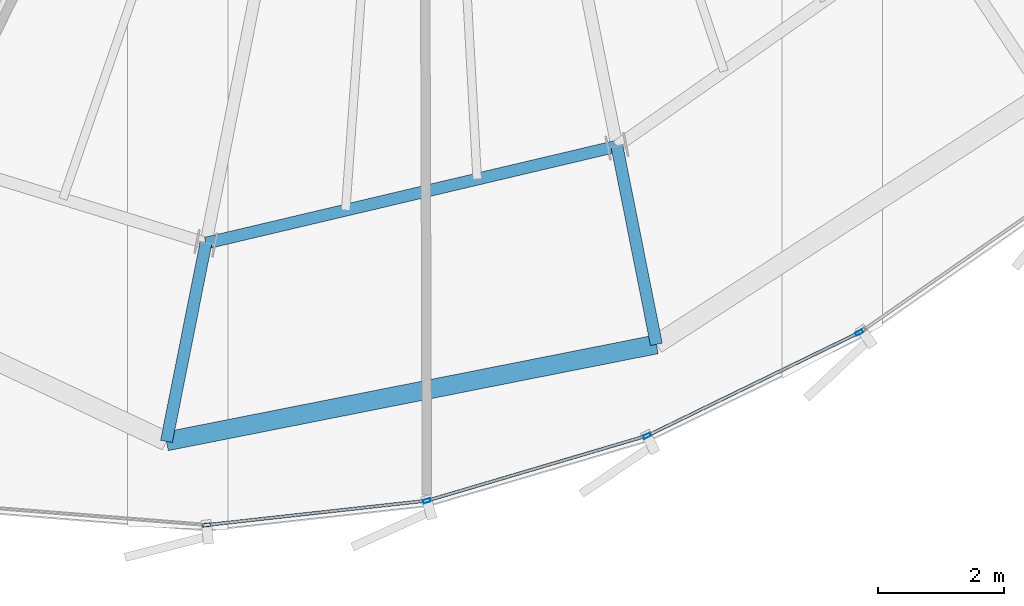
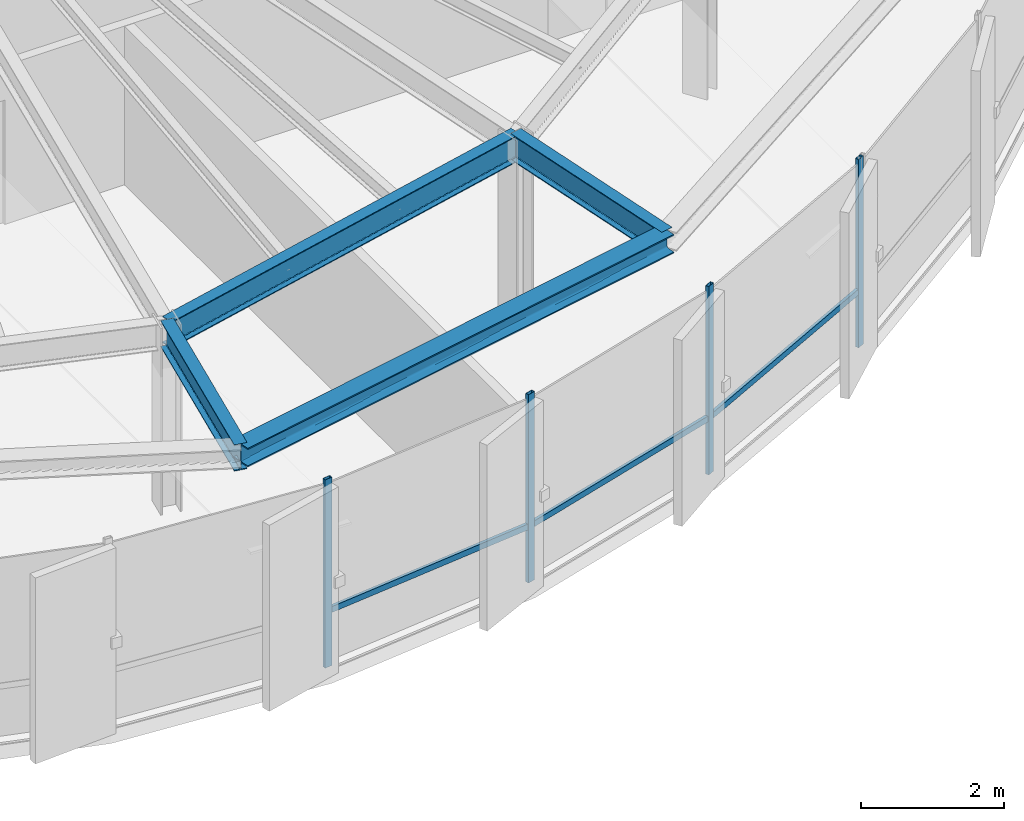
# One storey, part 6 of 34: 7 members, 4 beams, 1 element without a shape of its own.
"""IFC4 building model written with IfcOpenShell, lengths in metres."""

from ifc_helpers import new_model, si_unit, direction, frame, origin, origin_2d, place, context, subcontext, project, spatial, hollow_rectangle, i_section, extrude, source, transform, mapped, material, layer, layer_set, material_profile, profile_set, type_object, element, aggregate, save


model = new_model("IFC4")

# Units and contexts
model_context = context("Model", 3, precision=1e-05, world=origin(), true_north=direction((0.0, 1.0)))
body_context = subcontext(model_context, "Body", "Model", "MODEL_VIEW")
ifc_project = project(units=[si_unit("LENGTHUNIT", "METRE"), si_unit("AREAUNIT", "SQUARE_METRE"), si_unit("VOLUMEUNIT", "CUBIC_METRE"), si_unit("PLANEANGLEUNIT", "RADIAN"), si_unit("MASSUNIT", "GRAM", prefix="KILO"), si_unit("THERMODYNAMICTEMPERATUREUNIT", "KELVIN")], contexts=[model_context])

# Site, building, storey
site_placement = place(None, origin())
site = spatial("IfcSite", under=ifc_project, at=site_placement, CompositionType="ELEMENT")
building_placement = place(site_placement, origin())
building = spatial("IfcBuilding", under=site, at=building_placement, Name="Kethvar Cultural Tower", CompositionType="ELEMENT")
storey_placement = place(building_placement, frame((0.0, 0.0, 259.449951171875)))
storey = spatial("IfcBuildingStorey", under=building, at=storey_placement, Name="L68", CompositionType="ELEMENT", Elevation=259.449951171875)

# Beams
ifc_material_1 = material(Name="Steel S355J2", Category="steel")
ifc_material_profile_1 = material_profile(ifc_material_1, i_section(OverallWidth=0.18994140625, OverallDepth=0.449951171875, WebThickness=0.009521484375, FlangeThickness=0.0146484375, FilletRadius=0.02099609375, at=origin_2d()), Name="Steel S355J2 — IPE450")
ifc_profile_set_1 = profile_set([ifc_material_profile_1], Name="Steel S355J2 — IPE450")
beam_type_1 = type_object("IfcBeamType", Name="BM-IPE450", PredefinedType="BEAM", material=ifc_profile_set_1)
shared_shape_1 = source(origin(), body_context, "Body", "SweptSolid", [
    extrude(i_section(OverallWidth=0.18994140625, OverallDepth=0.449951171875, WebThickness=0.009521484375, FlangeThickness=0.0146484375, FilletRadius=0.02099609375, at=origin_2d()), origin(), (0.0, 0.0, 1.0), 3.199951171875),
])
beam_1_placement = place(storey_placement, frame((49.901611328125, 12.206787109375, 2.983154296875), z_axis=(0.195088965533, -0.980785550224, 0.0), x_axis=(0.980785550224, 0.195088965533, 0.0)))
element("IfcBeam", 1, at=beam_1_placement, inside=storey, type_object=beam_type_1, Name="L68 Perimeter Cantilever Beam RC-13", PredefinedType="BEAM", context=body_context, shape_type="MappedRepresentation", body=[
    mapped(shared_shape_1, transform((0.0, 0.0, 0.0), scale=1.0)),
])
shared_shape_2 = source(origin(), body_context, "Body", "SweptSolid", [
    extrude(i_section(OverallWidth=0.18994140625, OverallDepth=0.449951171875, WebThickness=0.009521484375, FlangeThickness=0.0146484375, FilletRadius=0.02099609375, at=origin_2d()), origin(), (0.0, 0.0, 1.0), 3.2001953125),
])
beam_2_placement = place(storey_placement, frame((43.392822265625, 10.67138671875, 2.983154296875), z_axis=(-0.195074368086, -0.980788453702, 0.0), x_axis=(0.980788453702, -0.195074368086, 0.0)))
element("IfcBeam", 2, at=beam_2_placement, inside=storey, type_object=beam_type_1, Name="L68 Perimeter Cantilever Beam RC-12", PredefinedType="BEAM", context=body_context, shape_type="MappedRepresentation", body=[
    mapped(shared_shape_2, transform((0.0, 0.0, 0.0), scale=1.0)),
])
shared_shape_3 = source(origin(), body_context, "Body", "SweptSolid", [
    extrude(i_section(OverallWidth=0.18994140625, OverallDepth=0.449951171875, WebThickness=0.009521484375, FlangeThickness=0.0146484375, FilletRadius=0.02099609375, at=origin_2d()), origin(), (0.0, 0.0, 1.0), 6.6875),
])
beam_3_placement = place(storey_placement, frame((43.392822265625, 10.67138671875, 2.983154296875), z_axis=(0.973286301494, 0.22959480683, 0.0), x_axis=(-0.22959480683, 0.973286301494, 0.0)))
element("IfcBeam", 3, at=beam_3_placement, inside=storey, type_object=beam_type_1, Name="L68 Column Ring Tie Beam CR-12", PredefinedType="BEAM", context=body_context, shape_type="MappedRepresentation", body=[
    mapped(shared_shape_3, transform((0.0, 0.0, 0.0), scale=1.0)),
])
ifc_material_profile_2 = material_profile(ifc_material_1, i_section(OverallWidth=0.300048828125, OverallDepth=0.320068359375, WebThickness=0.011474609375, FlangeThickness=0.0205078125, FilletRadius=0.027099609375, at=origin_2d()), Name="Steel S355J2 — HEB320")
ifc_profile_set_2 = profile_set([ifc_material_profile_2], Name="Steel S355J2 — HEB320")
beam_type_2 = type_object("IfcBeamType", Name="BM-SP320", PredefinedType="SPANDREL", material=ifc_profile_set_2)
shared_shape_4 = source(origin(), body_context, "Body", "SweptSolid", [
    extrude(i_section(OverallWidth=0.300048828125, OverallDepth=0.320068359375, WebThickness=0.011474609375, FlangeThickness=0.0205078125, FilletRadius=0.027099609375, at=origin_2d()), origin(), (0.0, 0.0, 1.0), 7.907958984375),
])
beam_4_placement = place(storey_placement, frame((42.7685546875, 7.53271484375, 3.048095703125), z_axis=(0.980963515828, 0.194192122948, 0.0), x_axis=(-0.194192122948, 0.980963515828, 0.0)))
element("IfcBeam", 4, at=beam_4_placement, inside=storey, type_object=beam_type_2, Name="L68 Perimeter Spandrel Beam SP-12", PredefinedType="SPANDREL", context=body_context, shape_type="MappedRepresentation", body=[
    mapped(shared_shape_4, transform((0.0, 0.0, 0.0), scale=1.0)),
])

# Curtain wall, members
ifc_material_2 = material(Name="Aluminium 6063-T6", Category="aluminium")
ifc_layer = layer(ifc_material_2, 0.179931640625, Name="Aluminium 6063-T6", Category="aluminium")
ifc_layer_set = layer_set([ifc_layer], Name="Aluminium 6063-T6 (180 mm)")
curtain_wall_type = type_object("IfcCurtainWallType", Name="CW-SYS-05-Z56", PredefinedType="NOTDEFINED", material=ifc_layer_set)
curtain_wall_placement = place(storey_placement, origin())
curtain_wall = element("IfcCurtainWall", 5, at=curtain_wall_placement, inside=storey, type_object=curtain_wall_type, Name="L68 Curtain Wall Run 04", PredefinedType="NOTDEFINED")
ifc_material_profile_3 = material_profile(ifc_material_2, hollow_rectangle(XDim=0.054931640625, YDim=0.1201171875, WallThickness=0.00390625, at=origin_2d()), Name="Aluminium 6063-T6 — RHS120x55x4")
ifc_profile_set_3 = profile_set([ifc_material_profile_3], Name="Aluminium 6063-T6 — RHS120x55x4")
member_type_1 = type_object("IfcMemberType", Name="CW-SYS-05-Z56-MUL", PredefinedType="MULLION", material=ifc_profile_set_3)
shared_shape_5 = source(origin(), body_context, "Body", "SweptSolid", [
    extrude(hollow_rectangle(XDim=0.054931640625, YDim=0.1201171875, WallThickness=0.00390625, at=origin_2d()), origin(), (0.0, 0.0, 1.0), 3.2099609375),
])
member_1_placement = place(storey_placement, frame((43.4033203125, 6.208740234375, 0.0), z_axis=(0.0, 0.0, 1.0), x_axis=(-0.109769006807, 0.9939571244, 0.0)))
member_1 = element("IfcMember", 6, at=member_1_placement, type_object=member_type_1, Name="CW-L68-R04 Mullion 4", PredefinedType="MULLION", context=body_context, shape_type="MappedRepresentation", body=[
    mapped(shared_shape_5, transform((0.0, 0.0, 0.0), scale=1.0)),
])
member_2_placement = place(storey_placement, frame((46.891845703125, 6.59228515625, 0.0), z_axis=(0.0, 0.0, 1.0), x_axis=(-0.283278940331, 0.959037560247, 0.0)))
member_2 = element("IfcMember", 7, at=member_2_placement, type_object=member_type_1, Name="CW-L68-R04 Mullion 5", PredefinedType="MULLION", context=body_context, shape_type="MappedRepresentation", body=[
    mapped(shared_shape_5, transform((0.0, 0.0, 0.0), scale=1.0)),
])
member_3_placement = place(storey_placement, frame((50.378662109375, 7.620849609375, 0.0), z_axis=(0.0, 0.0, 1.0), x_axis=(-0.437492470283, 0.899222074043, 0.0)))
member_3 = element("IfcMember", 8, at=member_3_placement, type_object=member_type_1, Name="CW-L68-R04 Mullion 6", PredefinedType="MULLION", context=body_context, shape_type="MappedRepresentation", body=[
    mapped(shared_shape_5, transform((0.0, 0.0, 0.0), scale=1.0)),
])
member_4_placement = place(storey_placement, frame((53.738525390625, 9.255615234375, 0.0), z_axis=(0.0, 0.0, 1.0), x_axis=(-0.437492470283, 0.899222074043, 0.0)))
member_4 = element("IfcMember", 9, at=member_4_placement, type_object=member_type_1, Name="CW-L68-R04 Mullion 7", PredefinedType="MULLION", context=body_context, shape_type="MappedRepresentation", body=[
    mapped(shared_shape_5, transform((0.0, 0.0, 0.0), scale=1.0)),
])
ifc_material_profile_4 = material_profile(ifc_material_2, hollow_rectangle(XDim=0.050048828125, YDim=0.10009765625, WallThickness=0.00390625, at=origin_2d()), Name="Aluminium 6063-T6 — RHS100x50x4")
ifc_profile_set_4 = profile_set([ifc_material_profile_4], Name="Aluminium 6063-T6 — RHS100x50x4")
member_type_2 = type_object("IfcMemberType", Name="CW-SYS-05-Z56-TRN", PredefinedType="USERDEFINED", material=ifc_profile_set_4)
shared_shape_6 = source(origin(), body_context, "Body", "SweptSolid", [
    extrude(hollow_rectangle(XDim=0.050048828125, YDim=0.10009765625, WallThickness=0.00390625, at=origin_2d()), origin(), (0.0, 0.0, 1.0), 3.693115234375),
])
member_5_placement = place(storey_placement, frame((50.414306640625, 7.63818359375, 0.949951171875), z_axis=(0.899214001561, 0.437509062074, 0.0), x_axis=(-0.437509062074, 0.899214001561, 0.0)))
member_5 = element("IfcMember", 10, at=member_5_placement, type_object=member_type_2, Name="CW-L68-R04 Transom 6", ObjectType="TRANSOM", PredefinedType="USERDEFINED", context=body_context, shape_type="MappedRepresentation", body=[
    mapped(shared_shape_6, transform((0.0, 0.0, 0.0), scale=1.0)),
])
shared_shape_7 = source(origin(), body_context, "Body", "SweptSolid", [
    extrude(hollow_rectangle(XDim=0.050048828125, YDim=0.10009765625, WallThickness=0.00390625, at=origin_2d()), origin(), (0.0, 0.0, 1.0), 3.57275390625),
])
member_6_placement = place(storey_placement, frame((46.9296875, 6.603515625, 0.949951171875), z_axis=(0.959025304193, 0.283320429755, 0.0), x_axis=(-0.283320429755, 0.959025304193, 0.0)))
member_6 = element("IfcMember", 11, at=member_6_placement, type_object=member_type_2, Name="CW-L68-R04 Transom 5", ObjectType="TRANSOM", PredefinedType="USERDEFINED", context=body_context, shape_type="MappedRepresentation", body=[
    mapped(shared_shape_7, transform((0.0, 0.0, 0.0), scale=1.0)),
])
shared_shape_8 = source(origin(), body_context, "Body", "SweptSolid", [
    extrude(hollow_rectangle(XDim=0.050048828125, YDim=0.10009765625, WallThickness=0.00390625, at=origin_2d()), origin(), (0.0, 0.0, 1.0), 3.447998046875),
])
member_7_placement = place(storey_placement, frame((43.442626953125, 6.212890625, 0.949951171875), z_axis=(0.993951759029, 0.109817579303, 0.0), x_axis=(-0.109817579303, 0.993951759029, 0.0)))
member_7 = element("IfcMember", 12, at=member_7_placement, type_object=member_type_2, Name="CW-L68-R04 Transom 4", ObjectType="TRANSOM", PredefinedType="USERDEFINED", context=body_context, shape_type="MappedRepresentation", body=[
    mapped(shared_shape_8, transform((0.0, 0.0, 0.0), scale=1.0)),
])
aggregate(curtain_wall, [member_1, member_2, member_3, member_4, member_7, member_6, member_5])

save(model, "model.ifc")
